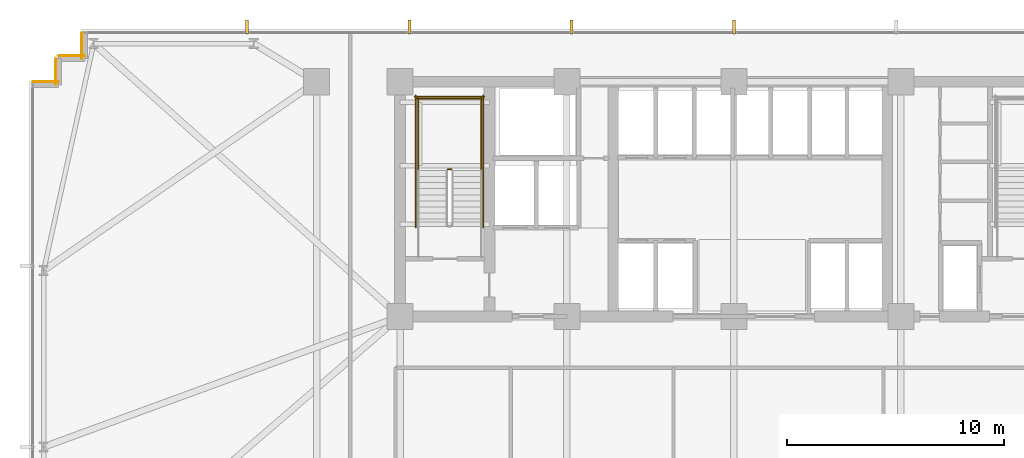
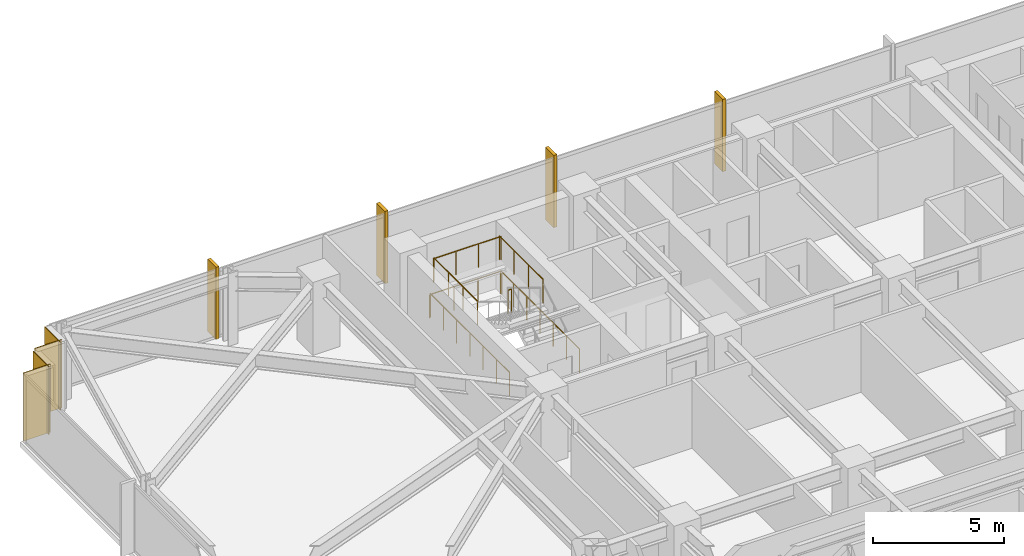
# One storey, part 31 of 33: 7 railings, 4 coverings, 4 shading devices.
"""IFC4 building model written with IfcOpenShell, lengths in metres."""

from ifc_helpers import new_model, si_unit, direction, frame, frame_2d, origin, origin_2d, place, context, subcontext, project, spatial, rectangle, circle, extrude, material, layer, layer_set, type_object, element, save


model = new_model("IFC4")

# Units and contexts
model_context = context("Model", 3, precision=1e-05, world=origin(), true_north=direction((0.0, 1.0)))
body_context = subcontext(model_context, "Body", "Model", "MODEL_VIEW")
ifc_project = project(units=[si_unit("LENGTHUNIT", "METRE"), si_unit("AREAUNIT", "SQUARE_METRE"), si_unit("VOLUMEUNIT", "CUBIC_METRE"), si_unit("PLANEANGLEUNIT", "RADIAN"), si_unit("MASSUNIT", "GRAM", prefix="KILO")], contexts=[model_context])

# Site, building, storey
site_placement = place(None, origin())
site = spatial("IfcSite", under=ifc_project, at=site_placement, CompositionType="ELEMENT")
building_placement = place(site_placement, origin())
building = spatial("IfcBuilding", under=site, at=building_placement, Name="Yelkora Congress Tower", CompositionType="ELEMENT")
storey_placement = place(building_placement, frame((0.0, 0.0, 71.199951171875)))
storey = spatial("IfcBuildingStorey", under=building, at=storey_placement, Name="L18", CompositionType="ELEMENT", Elevation=71.199951171875)

# Coverings
ifc_material_1 = material(Name="Anatolian bush-hammered limestone", Category="masonry")
ifc_layer_1 = layer(ifc_material_1, 0.0400390625)
ifc_layer_set_1 = layer_set([ifc_layer_1], Name="Anatolian bush-hammered limestone")
covering_type = type_object("IfcCoveringType", Name="COV-CLAD-SPANDREL-40", PredefinedType="CLADDING", material=ifc_layer_set_1)
covering_placement = place(storey_placement, frame((6.139892578125, 46.195068359375, 0.0), z_axis=(0.0, 0.0, 1.0), x_axis=(1.0, 0.0, 0.0)))
element("IfcCovering", 1, at=covering_placement, inside=storey, type_object=covering_type, Name="L18 Anatolian Limestone Cladding EW-L18-SR06", PredefinedType="CLADDING", context=body_context, shape_type="SweptSolid", body=[
    extrude(rectangle(XDim=1.2001953125, YDim=0.0400390625, at=frame_2d((0.60009765625, 0.0))), origin(), (0.0, 0.0, 1.0), 3.179931640625),
])
for number, where, z_axis, x_axis, name in (
    (2, (7.205078125, 46.06005859375, 0.0), (0.0, 0.0, 1.0), (0.0, 1.0, 0.0), "L18 Anatolian Limestone Cladding EW-L18-SR07"),
    (3, (7.340087890625, 47.39501953125, 0.0), (0.0, 0.0, 1.0), (1.0, 0.0, 0.0), "L18 Anatolian Limestone Cladding EW-L18-SR08"),
    (4, (8.405029296875, 47.260009765625, 0.0), (0.0, 0.0, 1.0), (0.0, 1.0, 0.0), "L18 Anatolian Limestone Cladding EW-L18-SR09"),
):
    element("IfcCovering", number, at=place(storey_placement, frame(where, z_axis=z_axis, x_axis=x_axis)), inside=storey, type_object=covering_type, Name=name, PredefinedType="CLADDING", context=body_context, shape_type="SweptSolid", body=[
        extrude(rectangle(XDim=1.199951171875, YDim=0.0400390625, at=frame_2d((0.60009765625, 0.0))), origin(), (0.0, 0.0, 1.0), 3.179931640625),
    ])

# Railings
ifc_material_2 = material(Name="Painted galvanised steel stair well guard with vertical infill", Category="steel")
ifc_layer_2 = layer(ifc_material_2, 0.06005859375)
ifc_layer_set_2 = layer_set([ifc_layer_2], Name="Painted galvanised steel stair well guard with vertical infill")
railing_type = type_object("IfcRailingType", Name="RAIL-STAIR-GUARD-1120", PredefinedType="GUARDRAIL", material=ifc_layer_set_2)
railing_1_placement = place(storey_placement, frame((25.39990234375, 42.169921875, 1.699951171875)))
element("IfcRailing", 5, at=railing_1_placement, inside=storey, type_object=railing_type, Name="ST-01 L18 Stair Well Guardrail 2", PredefinedType="GUARDRAIL", context=body_context, shape_type="SweptSolid", body=[
    extrude(circle(Radius=0.02392578125, at=origin_2d()), frame((0.0, 0.0, 1.09619140625), z_axis=(-1.0, 0.0, 0.0), x_axis=(0.0, -1.0, 0.0)), (0.0, 0.0, 1.0), 0.159912109375),
    extrude(circle(Radius=0.02099609375, at=origin_2d()), origin(), (0.0, 0.0, 1.0), 1.072021484375),
    extrude(circle(Radius=0.02099609375, at=origin_2d()), frame((-0.159912109375, 0.0, 0.0)), (0.0, 0.0, 1.0), 1.072021484375),
])
for number, where, name in (
    (6, (26.77001953125, 42.1201171875, 1.699951171875), "ST-01 L18 Stair Well Guardrail 3"),
    (7, (23.8701171875, 42.1201171875, 1.699951171875), "ST-01 L18 Stair Well Guardrail 4"),
):
    element("IfcRailing", number, at=place(storey_placement, frame(where)), inside=storey, type_object=railing_type, Name=name, PredefinedType="GUARDRAIL", context=body_context, shape_type="SweptSolid", body=[
        extrude(circle(Radius=0.02392578125, at=origin_2d()), frame((0.0, 0.0, 1.09619140625), z_axis=(0.0, 1.0, 0.0), x_axis=(-1.0, 0.0, 0.0)), (0.0, 0.0, 1.0), 3.349853515625),
        extrude(circle(Radius=0.02099609375, at=origin_2d()), origin(), (0.0, 0.0, 1.0), 1.072021484375),
        extrude(circle(Radius=0.02099609375, at=origin_2d()), frame((0.0, 1.11669921875, 0.0)), (0.0, 0.0, 1.0), 1.072021484375),
        extrude(circle(Radius=0.02099609375, at=origin_2d()), frame((0.0, 2.233154296875, 0.0)), (0.0, 0.0, 1.0), 1.072021484375),
        extrude(circle(Radius=0.02099609375, at=origin_2d()), frame((0.0, 3.349853515625, 0.0)), (0.0, 0.0, 1.0), 1.072021484375),
    ])
railing_2_placement = place(storey_placement, frame((26.820068359375, 45.419921875, 1.699951171875)))
element("IfcRailing", 8, at=railing_2_placement, inside=storey, type_object=railing_type, Name="ST-01 L18 Stair Well Guardrail 5", PredefinedType="GUARDRAIL", context=body_context, shape_type="SweptSolid", body=[
    extrude(circle(Radius=0.02392578125, at=origin_2d()), frame((0.0, 0.0, 1.09619140625), z_axis=(-1.0, 0.0, 0.0), x_axis=(0.0, -1.0, 0.0)), (0.0, 0.0, 1.0), 3.0),
    extrude(circle(Radius=0.02099609375, at=origin_2d()), origin(), (0.0, 0.0, 1.0), 1.072021484375),
    extrude(circle(Radius=0.02099609375, at=origin_2d()), frame((-1.0, 0.0, 0.0)), (0.0, 0.0, 1.0), 1.072021484375),
    extrude(circle(Radius=0.02099609375, at=origin_2d()), frame((-2.0, 0.0, 0.0)), (0.0, 0.0, 1.0), 1.072021484375),
    extrude(circle(Radius=0.02099609375, at=origin_2d()), frame((-3.0, 0.0, 0.0)), (0.0, 0.0, 1.0), 1.072021484375),
])
for number, where, name in (
    (9, (26.8701171875, 39.5, 0.0), "ST-01 L18 Stair Well Guardrail 10"),
    (10, (23.77001953125, 39.5, 0.0), "ST-01 L18 Stair Well Guardrail 11"),
):
    element("IfcRailing", number, at=place(storey_placement, frame(where)), inside=storey, type_object=railing_type, Name=name, PredefinedType="GUARDRAIL", context=body_context, shape_type="SweptSolid", body=[
        extrude(circle(Radius=0.02392578125, at=origin_2d()), frame((0.0, 0.0, 1.09619140625), z_axis=(0.0, 1.0, 0.0), x_axis=(-1.0, 0.0, 0.0)), (0.0, 0.0, 1.0), 6.070068359375),
        extrude(circle(Radius=0.02099609375, at=origin_2d()), origin(), (0.0, 0.0, 1.0), 1.072021484375),
        extrude(circle(Radius=0.02099609375, at=origin_2d()), frame((0.0, 1.01171875, 0.0)), (0.0, 0.0, 1.0), 1.072021484375),
        extrude(circle(Radius=0.02099609375, at=origin_2d()), frame((0.0, 2.0234375, 0.0)), (0.0, 0.0, 1.0), 1.072021484375),
        extrude(circle(Radius=0.02099609375, at=origin_2d()), frame((0.0, 3.03515625, 0.0)), (0.0, 0.0, 1.0), 1.072021484375),
        extrude(circle(Radius=0.02099609375, at=origin_2d()), frame((0.0, 4.046630859375, 0.0)), (0.0, 0.0, 1.0), 1.072021484375),
        extrude(circle(Radius=0.02099609375, at=origin_2d()), frame((0.0, 5.058349609375, 0.0)), (0.0, 0.0, 1.0), 1.072021484375),
        extrude(circle(Radius=0.02099609375, at=origin_2d()), frame((0.0, 6.070068359375, 0.0)), (0.0, 0.0, 1.0), 1.072021484375),
    ])
railing_3_placement = place(storey_placement, frame((26.919921875, 45.52001953125, 0.0)))
element("IfcRailing", 11, at=railing_3_placement, inside=storey, type_object=railing_type, Name="ST-01 L18 Stair Well Guardrail 12", PredefinedType="GUARDRAIL", context=body_context, shape_type="SweptSolid", body=[
    extrude(circle(Radius=0.02392578125, at=origin_2d()), frame((0.0, 0.0, 1.09619140625), z_axis=(-1.0, 0.0, 0.0), x_axis=(0.0, -1.0, 0.0)), (0.0, 0.0, 1.0), 3.199951171875),
    extrude(circle(Radius=0.02099609375, at=origin_2d()), origin(), (0.0, 0.0, 1.0), 1.072021484375),
    extrude(circle(Radius=0.02099609375, at=origin_2d()), frame((-1.066650390625, 0.0, 0.0)), (0.0, 0.0, 1.0), 1.072021484375),
    extrude(circle(Radius=0.02099609375, at=origin_2d()), frame((-2.13330078125, 0.0, 0.0)), (0.0, 0.0, 1.0), 1.072021484375),
    extrude(circle(Radius=0.02099609375, at=origin_2d()), frame((-3.199951171875, 0.0, 0.0)), (0.0, 0.0, 1.0), 1.072021484375),
])

# Shading devices
ifc_material_3 = material(Name="Champagne anodised aluminium", Category="aluminium")
ifc_layer_3 = layer(ifc_material_3, 3.39990234375)
ifc_layer_set_3 = layer_set([ifc_layer_3], Name="Champagne anodised aluminium")
shading_device_type = type_object("IfcShadingDeviceType", Name="SHD-FIN-ALU-640", PredefinedType="USERDEFINED", material=ifc_layer_set_3)
for number, where, z_axis, x_axis, name in (
    (12, (16.0048828125, 48.719970703125, -0.02978515625), (0.0, 0.0, 1.0), (1.0, 0.0, 0.0), "L18 Vertical Anodised Solar Fin 10-1"),
    (13, (23.469970703125, 48.719970703125, -0.02978515625), (0.0, 0.0, 1.0), (1.0, 0.0, 0.0), "L18 Vertical Anodised Solar Fin 10-2"),
    (14, (30.93505859375, 48.719970703125, -0.02978515625), (0.0, 0.0, 1.0), (1.0, 0.0, 0.0), "L18 Vertical Anodised Solar Fin 10-3"),
    (15, (38.39990234375, 48.719970703125, -0.02978515625), (0.0, 0.0, 1.0), (1.0, 0.0, 0.0), "L18 Vertical Anodised Solar Fin 10-4"),
):
    element("IfcShadingDevice", number, at=place(storey_placement, frame(where, z_axis=z_axis, x_axis=x_axis)), inside=storey, type_object=shading_device_type, Name=name, ObjectType="FIN", PredefinedType="USERDEFINED", context=body_context, shape_type="SweptSolid", body=[
        extrude(rectangle(XDim=0.139892578125, YDim=0.639892578125, at=origin_2d()), origin(), (0.0, 0.0, 1.0), 3.3798828125),
    ])

save(model, "model.ifc")
